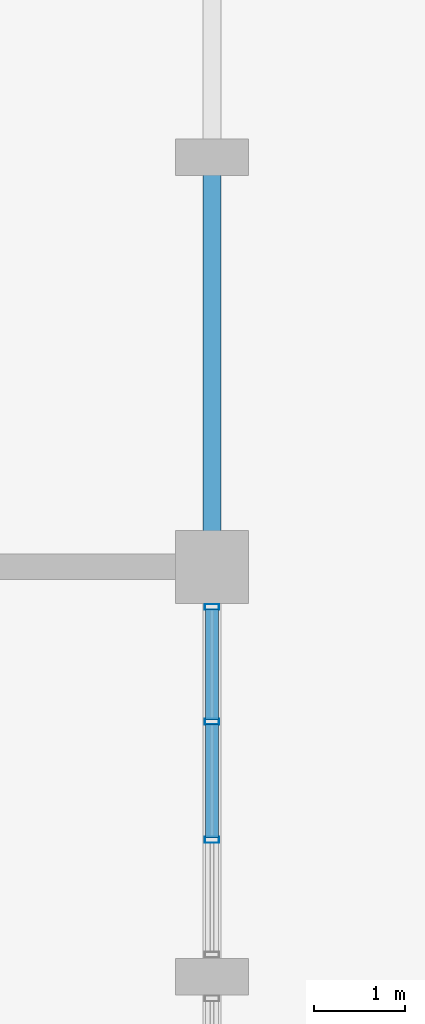
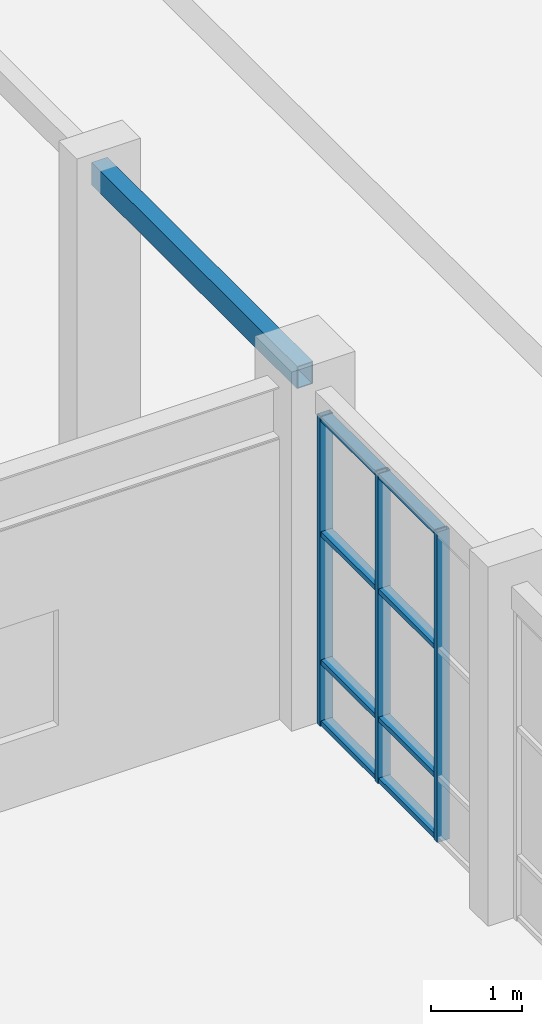
# One storey, part 21 of 47: 11 members, 1 beam, 1 element without a shape of its own.
"""IFC4 building model written with IfcOpenShell, lengths in metres."""

from ifc_helpers import new_model, si_unit, direction, frame, origin, origin_2d, place, context, subcontext, project, spatial, hollow_rectangle, extrude, material, layer, layer_set, material_profile, profile_set, type_object, element, aggregate, save


model = new_model("IFC4")

# Units and contexts
model_context = context("Model", 3, precision=1e-05, world=origin(), true_north=direction((0.0, 1.0)))
body_context = subcontext(model_context, "Body", "Model", "MODEL_VIEW")
ifc_project = project(units=[si_unit("LENGTHUNIT", "METRE"), si_unit("AREAUNIT", "SQUARE_METRE"), si_unit("VOLUMEUNIT", "CUBIC_METRE"), si_unit("PLANEANGLEUNIT", "RADIAN"), si_unit("MASSUNIT", "GRAM", prefix="KILO")], contexts=[model_context])

# Site, building, storey
site_placement = place(None, origin())
site = spatial("IfcSite", under=ifc_project, at=site_placement, CompositionType="ELEMENT")
building_placement = place(site_placement, origin())
building = spatial("IfcBuilding", under=site, at=building_placement, Name="Ventoquebrada Cableway Terminal", CompositionType="ELEMENT")
storey_placement = place(building_placement, origin())
storey = spatial("IfcBuildingStorey", under=building, at=storey_placement, Name="L00", CompositionType="ELEMENT", Elevation=0.0)

# Curtain wall, members
ifc_material_1 = material(Name="Anodized thermally-broken aluminium", Category="aluminium")
ifc_layer = layer(ifc_material_1, 0.159912109375)
ifc_layer_set = layer_set([ifc_layer], Name="Anodized thermally-broken aluminium")
curtain_wall_type = type_object("IfcCurtainWallType", Name="CW-T13", PredefinedType="USERDEFINED", material=ifc_layer_set)
curtain_wall_placement = place(storey_placement, origin())
curtain_wall = element("IfcCurtainWall", 1, at=curtain_wall_placement, inside=storey, type_object=curtain_wall_type, Name="Unitised glazed curtain wall CW-029", ObjectType="UNITISED CURTAIN WALL", PredefinedType="USERDEFINED")
ifc_material_profile_1 = material_profile(ifc_material_1, hollow_rectangle(XDim=0.06494140625, YDim=0.159912109375, WallThickness=0.00390625, at=origin_2d()), Name="CW-MUL-65X160")
ifc_profile_set_1 = profile_set([ifc_material_profile_1], Name="Anodized thermally-broken aluminium")
member_type_1 = type_object("IfcMemberType", Name="CWM-01", PredefinedType="MULLION", material=ifc_profile_set_1)
member_1_placement = place(storey_placement, frame((35.0, 92.001953125, -0.008056640625), z_axis=(0.0, 0.0, 1.0), x_axis=(0.0, 1.0, 0.0)))
member_1 = element("IfcMember", 2, at=member_1_placement, type_object=member_type_1, Name="Curtain wall mullion FML-0130", PredefinedType="MULLION", context=body_context, shape_type="SweptSolid", body=[
    extrude(hollow_rectangle(XDim=0.06494140625, YDim=0.159912109375, WallThickness=0.00390625, at=origin_2d()), origin(), (0.0, 0.0, 1.0), 4.14794921875),
])
member_2_placement = place(storey_placement, frame((35.0, 93.298095703125, -0.008056640625), z_axis=(0.0, 0.0, 1.0), x_axis=(0.0, 1.0, 0.0)))
member_2 = element("IfcMember", 3, at=member_2_placement, type_object=member_type_1, Name="Curtain wall mullion FML-0131", PredefinedType="MULLION", context=body_context, shape_type="SweptSolid", body=[
    extrude(hollow_rectangle(XDim=0.06494140625, YDim=0.159912109375, WallThickness=0.00390625, at=origin_2d()), origin(), (0.0, 0.0, 1.0), 4.14794921875),
])
member_3_placement = place(storey_placement, frame((35.0, 94.56005859375, -0.008056640625), z_axis=(0.0, 0.0, 1.0), x_axis=(0.0, 1.0, 0.0)))
member_3 = element("IfcMember", 4, at=member_3_placement, type_object=member_type_1, Name="Curtain wall mullion FML-0132", PredefinedType="MULLION", context=body_context, shape_type="SweptSolid", body=[
    extrude(hollow_rectangle(XDim=0.06494140625, YDim=0.159912109375, WallThickness=0.00390625, at=origin_2d()), origin(), (0.0, 0.0, 1.0), 4.14794921875),
])
ifc_material_profile_2 = material_profile(ifc_material_1, hollow_rectangle(XDim=0.06494140625, YDim=0.139892578125, WallThickness=0.00390625, at=origin_2d()), Name="CW-TRN-65X140")
ifc_profile_set_2 = profile_set([ifc_material_profile_2], Name="Anodized thermally-broken aluminium")
member_type_2 = type_object("IfcMemberType", Name="CWT-01", PredefinedType="USERDEFINED", material=ifc_profile_set_2)
member_4_placement = place(storey_placement, frame((35.0, 92.029052734375, 0.034912109375), z_axis=(0.0, 1.0, 0.0), x_axis=(0.0, 0.0, 1.0)))
member_4 = element("IfcMember", 5, at=member_4_placement, type_object=member_type_2, Name="Curtain wall transom FTR-0383", ObjectType="TRANSOM", PredefinedType="USERDEFINED", context=body_context, shape_type="SweptSolid", body=[
    extrude(hollow_rectangle(XDim=0.06494140625, YDim=0.139892578125, WallThickness=0.00390625, at=origin_2d()), origin(), (0.0, 0.0, 1.0), 1.241943359375),
])
member_5_placement = place(storey_placement, frame((35.0, 92.029052734375, 0.85009765625), z_axis=(0.0, 1.0, 0.0), x_axis=(0.0, 0.0, 1.0)))
member_5 = element("IfcMember", 6, at=member_5_placement, type_object=member_type_2, Name="Curtain wall transom FTR-0384", ObjectType="TRANSOM", PredefinedType="USERDEFINED", context=body_context, shape_type="SweptSolid", body=[
    extrude(hollow_rectangle(XDim=0.06494140625, YDim=0.139892578125, WallThickness=0.00390625, at=origin_2d()), origin(), (0.0, 0.0, 1.0), 1.241943359375),
])
member_6_placement = place(storey_placement, frame((35.0, 92.029052734375, 2.56396484375), z_axis=(0.0, 1.0, 0.0), x_axis=(0.0, 0.0, 1.0)))
member_6 = element("IfcMember", 7, at=member_6_placement, type_object=member_type_2, Name="Curtain wall transom FTR-0385", ObjectType="TRANSOM", PredefinedType="USERDEFINED", context=body_context, shape_type="SweptSolid", body=[
    extrude(hollow_rectangle(XDim=0.06494140625, YDim=0.139892578125, WallThickness=0.00390625, at=origin_2d()), origin(), (0.0, 0.0, 1.0), 1.241943359375),
])
member_7_placement = place(storey_placement, frame((35.0, 92.029052734375, 4.10009765625), z_axis=(0.0, 1.0, 0.0), x_axis=(0.0, 0.0, 1.0)))
member_7 = element("IfcMember", 8, at=member_7_placement, type_object=member_type_2, Name="Curtain wall transom FTR-0386", ObjectType="TRANSOM", PredefinedType="USERDEFINED", context=body_context, shape_type="SweptSolid", body=[
    extrude(hollow_rectangle(XDim=0.06494140625, YDim=0.139892578125, WallThickness=0.00390625, at=origin_2d()), origin(), (0.0, 0.0, 1.0), 1.241943359375),
])
member_8_placement = place(storey_placement, frame((35.0, 93.325927734375, 0.034912109375), z_axis=(0.0, 1.0, 0.0), x_axis=(0.0, 0.0, 1.0)))
member_8 = element("IfcMember", 9, at=member_8_placement, type_object=member_type_2, Name="Curtain wall transom FTR-0387", ObjectType="TRANSOM", PredefinedType="USERDEFINED", context=body_context, shape_type="SweptSolid", body=[
    extrude(hollow_rectangle(XDim=0.06494140625, YDim=0.139892578125, WallThickness=0.00390625, at=origin_2d()), origin(), (0.0, 0.0, 1.0), 1.2060546875),
])
member_9_placement = place(storey_placement, frame((35.0, 93.325927734375, 0.85009765625), z_axis=(0.0, 1.0, 0.0), x_axis=(0.0, 0.0, 1.0)))
member_9 = element("IfcMember", 10, at=member_9_placement, type_object=member_type_2, Name="Curtain wall transom FTR-0388", ObjectType="TRANSOM", PredefinedType="USERDEFINED", context=body_context, shape_type="SweptSolid", body=[
    extrude(hollow_rectangle(XDim=0.06494140625, YDim=0.139892578125, WallThickness=0.00390625, at=origin_2d()), origin(), (0.0, 0.0, 1.0), 1.2060546875),
])
member_10_placement = place(storey_placement, frame((35.0, 93.325927734375, 2.56396484375), z_axis=(0.0, 1.0, 0.0), x_axis=(0.0, 0.0, 1.0)))
member_10 = element("IfcMember", 11, at=member_10_placement, type_object=member_type_2, Name="Curtain wall transom FTR-0389", ObjectType="TRANSOM", PredefinedType="USERDEFINED", context=body_context, shape_type="SweptSolid", body=[
    extrude(hollow_rectangle(XDim=0.06494140625, YDim=0.139892578125, WallThickness=0.00390625, at=origin_2d()), origin(), (0.0, 0.0, 1.0), 1.2060546875),
])
member_11_placement = place(storey_placement, frame((35.0, 93.325927734375, 4.10009765625), z_axis=(0.0, 1.0, 0.0), x_axis=(0.0, 0.0, 1.0)))
member_11 = element("IfcMember", 12, at=member_11_placement, type_object=member_type_2, Name="Curtain wall transom FTR-0390", ObjectType="TRANSOM", PredefinedType="USERDEFINED", context=body_context, shape_type="SweptSolid", body=[
    extrude(hollow_rectangle(XDim=0.06494140625, YDim=0.139892578125, WallThickness=0.00390625, at=origin_2d()), origin(), (0.0, 0.0, 1.0), 1.2060546875),
])
aggregate(curtain_wall, [member_1, member_2, member_3, member_4, member_5, member_6, member_7, member_8, member_9, member_10, member_11])

# Beam
ifc_material_2 = material(Name="Steel ASTM A500 Grade C", Category="steel")
ifc_material_profile_3 = material_profile(ifc_material_2, hollow_rectangle(XDim=0.199951171875, YDim=0.300048828125, WallThickness=0.012451171875, at=origin_2d()), Name="RHS300X200X12.5")
ifc_profile_set_3 = profile_set([ifc_material_profile_3], Name="Steel ASTM A500 Grade C")
beam_type = type_object("IfcBeamType", Name="SP-ST02", PredefinedType="SPANDREL", material=ifc_profile_set_3)
beam_placement = place(storey_placement, frame((35.0, 95.0, 4.3798828125), z_axis=(0.0, 1.0, 0.0), x_axis=(-1.0, 0.0, 0.0)))
element("IfcBeam", 13, at=beam_placement, inside=storey, type_object=beam_type, Name="Perimeter spandrel beam FBM-0373", PredefinedType="SPANDREL", context=body_context, shape_type="SweptSolid", body=[
    extrude(hollow_rectangle(XDim=0.199951171875, YDim=0.300048828125, WallThickness=0.012451171875, at=origin_2d()), origin(), (0.0, 0.0, 1.0), 4.5),
])

save(model, "model.ifc")
